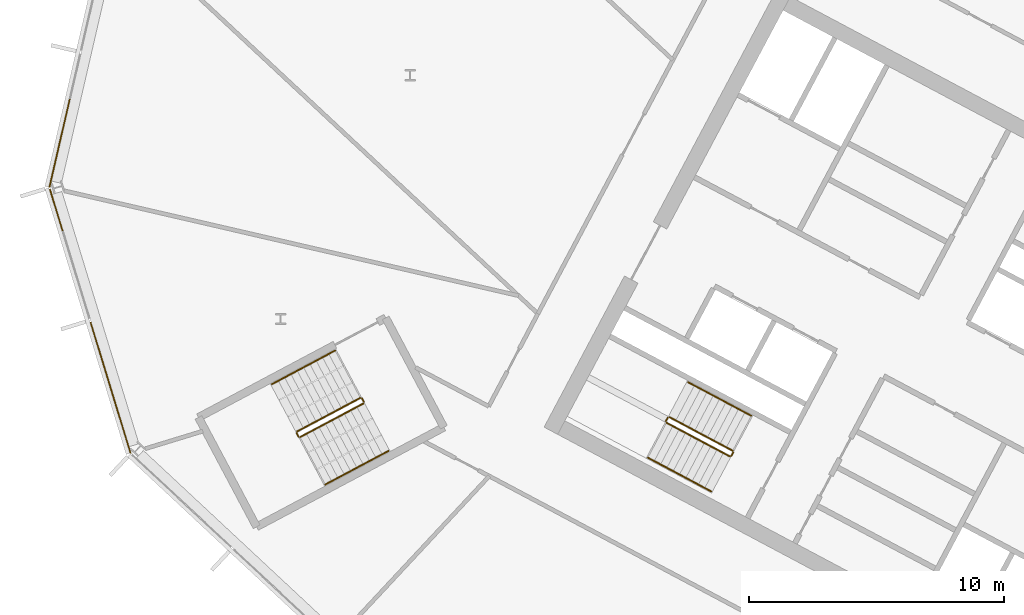
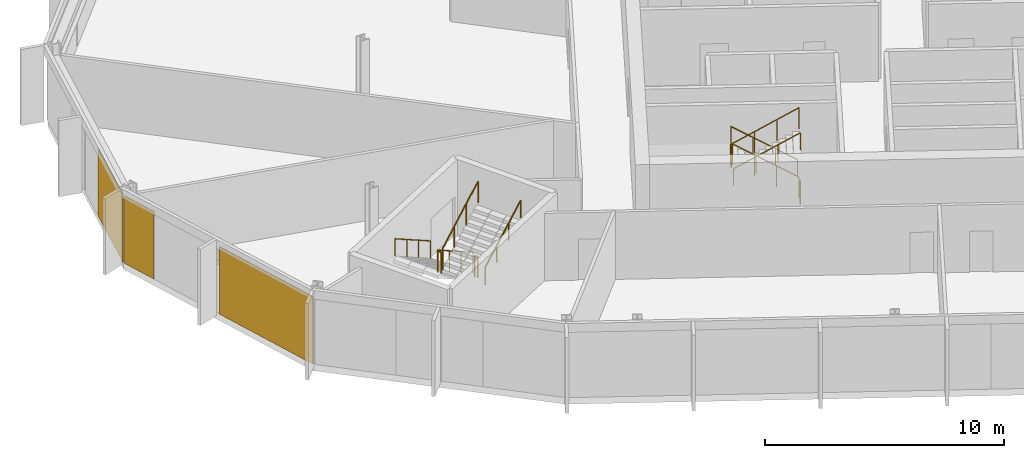
# One storey, part 20 of 26: 12 railings, 3 coverings, 2 elements without a shape of their own.
"""IFC4 building model written with IfcOpenShell, lengths in metres."""

from ifc_helpers import new_model, si_unit, direction, frame, origin, origin_2d, place, context, subcontext, project, spatial, polyline, rectangle, outline, extrude, material, layer, layer_set, type_object, element, aggregate, save


model = new_model("IFC4")

# Units and contexts
model_context = context("Model", 3, precision=1e-05, world=origin(), true_north=direction((0.0, 1.0)))
body_context = subcontext(model_context, "Body", "Model", "MODEL_VIEW")
ifc_project = project(units=[si_unit("LENGTHUNIT", "METRE"), si_unit("AREAUNIT", "SQUARE_METRE"), si_unit("VOLUMEUNIT", "CUBIC_METRE"), si_unit("PLANEANGLEUNIT", "RADIAN"), si_unit("MASSUNIT", "GRAM", prefix="KILO")], contexts=[model_context])

# Site, building, storey
site_placement = place(None, origin())
site = spatial("IfcSite", under=ifc_project, at=site_placement, CompositionType="ELEMENT")
building_placement = place(site_placement, origin())
building = spatial("IfcBuilding", under=site, at=building_placement, Name="Cormorant Relay Tower", CompositionType="ELEMENT")
storey_placement = place(building_placement, frame((0.0, 0.0, 248.10009765625)))
storey = spatial("IfcBuildingStorey", under=building, at=storey_placement, Name="L55", CompositionType="ELEMENT", Elevation=248.10009765625)

# Curtain wall, covering
ifc_material_1 = material(Name="Aluminium 6063-T6 anodised bronze", Category="aluminium")
ifc_layer_1 = layer(ifc_material_1, 0.199951171875)
ifc_layer_set_1 = layer_set([ifc_layer_1], Name="CW1 unitised bronze curtain wall with vertical fins")
curtain_wall_type = type_object("IfcCurtainWallType", Name="CW1 unitised bronze curtain wall with vertical fins", PredefinedType="NOTDEFINED", material=ifc_layer_set_1)
curtain_wall_1_placement = place(storey_placement, origin())
curtain_wall_1 = element("IfcCurtainWall", 1, at=curtain_wall_1_placement, inside=storey, type_object=curtain_wall_type, Name="CW1 curtain wall 13", PredefinedType="NOTDEFINED")
ifc_material_2 = material(Name="Pale bronze anodised aluminium insulated panel", Category="aluminium")
ifc_layer_2 = layer(ifc_material_2, 0.0400390625)
ifc_layer_set_2 = layer_set([ifc_layer_2], Name="CW1 pale bronze insulated panel 40")
covering_type = type_object("IfcCoveringType", Name="CW1 pale bronze insulated panel 40", PredefinedType="CLADDING", material=ifc_layer_set_2)
covering_1_placement = place(storey_placement, frame((-60.3388671875, 22.13232421875, 0.0), z_axis=(0.0, 0.0, 1.0), x_axis=(-0.224951054344, -0.974370064785, 0.0)))
covering_1 = element("IfcCovering", 2, at=covering_1_placement, type_object=covering_type, Name="CW1 panel S03", PredefinedType="CLADDING", context=body_context, shape_type="SweptSolid", body=[
    extrude(rectangle(XDim=3.560302734375, YDim=0.0400390625, at=origin_2d()), origin(), (0.0, 0.0, 1.0), 3.449951171875),
])
aggregate(curtain_wall_1, [covering_1])

# Curtain wall, coverings
curtain_wall_2_placement = place(storey_placement, origin())
curtain_wall_2 = element("IfcCurtainWall", 3, at=curtain_wall_2_placement, inside=storey, type_object=curtain_wall_type, Name="CW1 curtain wall 14", PredefinedType="NOTDEFINED")
covering_2_placement = place(storey_placement, frame((-60.470703125, 19.510009765625, 0.0), z_axis=(0.0, 0.0, 1.0), x_axis=(0.292371704723, -0.956304755963, 0.0)))
covering_2 = element("IfcCovering", 4, at=covering_2_placement, type_object=covering_type, Name="CW1 panel S00", PredefinedType="CLADDING", context=body_context, shape_type="SweptSolid", body=[
    extrude(rectangle(XDim=1.685302734375, YDim=0.0400390625, at=origin_2d()), origin(), (0.0, 0.0, 1.0), 3.449951171875),
])
covering_3_placement = place(storey_placement, frame((-58.344482421875, 12.55517578125, 0.0), z_axis=(0.0, 0.0, 1.0), x_axis=(0.292371704723, -0.956304755963, 0.0)))
covering_3 = element("IfcCovering", 5, at=covering_3_placement, type_object=covering_type, Name="CW1 panel S02", PredefinedType="CLADDING", context=body_context, shape_type="SweptSolid", body=[
    extrude(rectangle(XDim=5.360107421875, YDim=0.0400390625, at=origin_2d()), origin(), (0.0, 0.0, 1.0), 3.449951171875),
])
aggregate(curtain_wall_2, [covering_2, covering_3])

# Railings
ifc_material_3 = material(Name="Steel ASTM A572 Grade 50 (Fy 345 MPa)", Category="steel")
railing_type_1 = type_object("IfcRailingType", Name="Stair guard 1100", PredefinedType="GUARDRAIL", material=ifc_material_3)
railing_1_placement = place(storey_placement, frame((-33.9921875, 10.08935546875, 0.17724609375)))
element("IfcRailing", 6, at=railing_1_placement, inside=storey, type_object=railing_type_1, Name="L55 A2 stair guard 1", PredefinedType="GUARDRAIL", context=body_context, shape_type="SweptSolid", body=[
    extrude(outline(polyline([(0.022216796875, 0.00927734375), (0.00927734375, 0.022216796875), (-0.00927734375, 0.022216796875), (-0.022216796875, 0.00927734375), (-0.022216796875, -0.00927734375), (-0.00927734375, -0.022216796875), (0.00927734375, -0.022216796875), (0.022216796875, -0.00927734375), (0.022216796875, 0.00927734375)])), frame((0.0, 0.0, 1.076171875), z_axis=(-0.746001213114, 0.396649272309, 0.534931345884), x_axis=(-0.469465464807, -0.882950835185, 0.0)), (0.0, 0.0, 1.0), 3.31396484375),
    extrude(outline(polyline([(0.019287109375, 0.008056640625), (0.008056640625, 0.019287109375), (-0.008056640625, 0.019287109375), (-0.019287109375, 0.008056640625), (-0.019287109375, -0.008056640625), (-0.008056640625, -0.019287109375), (0.008056640625, -0.019287109375), (0.019287109375, -0.008056640625), (0.019287109375, 0.008056640625)])), origin(), (0.0, 0.0, 1.0), 1.052001953125),
    extrude(outline(polyline([(0.019287109375, 0.008056640625), (0.008056640625, 0.019287109375), (-0.008056640625, 0.019287109375), (-0.019287109375, 0.008056640625), (-0.019287109375, -0.008056640625), (-0.008056640625, -0.019287109375), (0.008056640625, -0.019287109375), (0.019287109375, -0.008056640625), (0.019287109375, 0.008056640625)])), frame((-0.823974609375, 0.438232421875, 0.5908203125)), (0.0, 0.0, 1.0), 1.052001953125),
    extrude(outline(polyline([(0.019287109375, 0.008056640625), (0.008056640625, 0.019287109375), (-0.008056640625, 0.019287109375), (-0.019287109375, 0.008056640625), (-0.019287109375, -0.008056640625), (-0.008056640625, -0.019287109375), (0.008056640625, -0.019287109375), (0.019287109375, -0.008056640625), (0.019287109375, 0.008056640625)])), frame((-1.648193359375, 0.876220703125, 1.181884765625)), (0.0, 0.0, 1.0), 1.052001953125),
    extrude(outline(polyline([(0.019287109375, 0.008056640625), (0.008056640625, 0.019287109375), (-0.008056640625, 0.019287109375), (-0.019287109375, 0.008056640625), (-0.019287109375, -0.008056640625), (-0.008056640625, -0.019287109375), (0.008056640625, -0.019287109375), (0.019287109375, -0.008056640625), (0.019287109375, 0.008056640625)])), frame((-2.47216796875, 1.314453125, 1.772705078125)), (0.0, 0.0, 1.0), 1.052001953125),
])
railing_2_placement = place(storey_placement, frame((-36.531982421875, 11.38330078125, 1.949951171875)))
element("IfcRailing", 7, at=railing_2_placement, inside=storey, type_object=railing_type_1, Name="L55 A2 stair guard 2", PredefinedType="GUARDRAIL", context=body_context, shape_type="SweptSolid", body=[
    extrude(outline(polyline([(0.022216796875, 0.00927734375), (0.00927734375, 0.022216796875), (-0.00927734375, 0.022216796875), (-0.022216796875, 0.00927734375), (-0.022216796875, -0.00927734375), (-0.00927734375, -0.022216796875), (0.00927734375, -0.022216796875), (0.022216796875, -0.00927734375), (0.022216796875, 0.00927734375)])), frame((0.0, 0.0, 1.076171875), z_axis=(-0.469828648786, -0.882757634224, 0.0), x_axis=(0.882757634224, -0.469828648786, 0.0)), (0.0, 0.0, 1.0), 0.150146484375),
    extrude(outline(polyline([(0.019287109375, 0.008056640625), (0.008056640625, 0.019287109375), (-0.008056640625, 0.019287109375), (-0.019287109375, 0.008056640625), (-0.019287109375, -0.008056640625), (-0.008056640625, -0.019287109375), (0.008056640625, -0.019287109375), (0.019287109375, -0.008056640625), (0.019287109375, 0.008056640625)])), origin(), (0.0, 0.0, 1.0), 1.052001953125),
    extrude(outline(polyline([(0.019287109375, 0.008056640625), (0.008056640625, 0.019287109375), (-0.008056640625, 0.019287109375), (-0.019287109375, 0.008056640625), (-0.019287109375, -0.008056640625), (-0.008056640625, -0.019287109375), (0.008056640625, -0.019287109375), (0.019287109375, -0.008056640625), (0.019287109375, 0.008056640625)])), frame((-0.070556640625, -0.132568359375, 0.0)), (0.0, 0.0, 1.0), 1.052001953125),
])
railing_3_placement = place(storey_placement, frame((-36.581787109375, 11.18310546875, 2.127197265625)))
element("IfcRailing", 8, at=railing_3_placement, inside=storey, type_object=railing_type_1, Name="L55 A2 stair guard 3", PredefinedType="GUARDRAIL", context=body_context, shape_type="SweptSolid", body=[
    extrude(outline(polyline([(0.022216796875, 0.00927734375), (0.00927734375, 0.022216796875), (-0.00927734375, 0.022216796875), (-0.022216796875, 0.00927734375), (-0.022216796875, -0.00927734375), (-0.00927734375, -0.022216796875), (0.00927734375, -0.022216796875), (0.022216796875, -0.00927734375), (0.022216796875, 0.00927734375)])), frame((0.0, 0.0, 1.076171875), z_axis=(0.746001213114, -0.396649272309, 0.534931345884), x_axis=(0.469465464807, 0.882950835185, 0.0)), (0.0, 0.0, 1.0), 3.31396484375),
    extrude(outline(polyline([(0.019287109375, 0.008056640625), (0.008056640625, 0.019287109375), (-0.008056640625, 0.019287109375), (-0.019287109375, 0.008056640625), (-0.019287109375, -0.008056640625), (-0.008056640625, -0.019287109375), (0.008056640625, -0.019287109375), (0.019287109375, -0.008056640625), (0.019287109375, 0.008056640625)])), origin(), (0.0, 0.0, 1.0), 1.052001953125),
    extrude(outline(polyline([(0.019287109375, 0.008056640625), (0.008056640625, 0.019287109375), (-0.008056640625, 0.019287109375), (-0.019287109375, 0.008056640625), (-0.019287109375, -0.008056640625), (-0.008056640625, -0.019287109375), (0.008056640625, -0.019287109375), (0.019287109375, -0.008056640625), (0.019287109375, 0.008056640625)])), frame((0.823974609375, -0.438232421875, 0.5908203125)), (0.0, 0.0, 1.0), 1.052001953125),
    extrude(outline(polyline([(0.019287109375, 0.008056640625), (0.008056640625, 0.019287109375), (-0.008056640625, 0.019287109375), (-0.019287109375, 0.008056640625), (-0.019287109375, -0.008056640625), (-0.008056640625, -0.019287109375), (0.008056640625, -0.019287109375), (0.019287109375, -0.008056640625), (0.019287109375, 0.008056640625)])), frame((1.648193359375, -0.876220703125, 1.181884765625)), (0.0, 0.0, 1.0), 1.052001953125),
    extrude(outline(polyline([(0.019287109375, 0.008056640625), (0.008056640625, 0.019287109375), (-0.008056640625, 0.019287109375), (-0.019287109375, 0.008056640625), (-0.019287109375, -0.008056640625), (-0.008056640625, -0.019287109375), (0.008056640625, -0.019287109375), (0.019287109375, -0.008056640625), (0.019287109375, 0.008056640625)])), frame((2.47216796875, -1.314453125, 1.772705078125)), (0.0, 0.0, 1.0), 1.052001953125),
])
railing_4_placement = place(storey_placement, frame((-33.971435546875, 10.021728515625, 0.0)))
element("IfcRailing", 9, at=railing_4_placement, inside=storey, type_object=railing_type_1, Name="L55 A2 stair guard 4", PredefinedType="GUARDRAIL", context=body_context, shape_type="SweptSolid", body=[
    extrude(outline(polyline([(0.022216796875, 0.00927734375), (0.00927734375, 0.022216796875), (-0.00927734375, 0.022216796875), (-0.022216796875, 0.00927734375), (-0.022216796875, -0.00927734375), (-0.00927734375, -0.022216796875), (0.00927734375, -0.022216796875), (0.022216796875, -0.00927734375), (0.022216796875, 0.00927734375)])), frame((0.0, 0.0, 1.076171875), z_axis=(-0.470503732759, -0.882398003998, 0.0), x_axis=(0.882398003998, -0.470503732759, 0.0)), (0.0, 0.0, 1.0), 0.14990234375),
    extrude(outline(polyline([(0.019287109375, 0.008056640625), (0.008056640625, 0.019287109375), (-0.008056640625, 0.019287109375), (-0.019287109375, 0.008056640625), (-0.019287109375, -0.008056640625), (-0.008056640625, -0.019287109375), (0.008056640625, -0.019287109375), (0.019287109375, -0.008056640625), (0.019287109375, 0.008056640625)])), origin(), (0.0, 0.0, 1.0), 1.052001953125),
    extrude(outline(polyline([(0.019287109375, 0.008056640625), (0.008056640625, 0.019287109375), (-0.008056640625, 0.019287109375), (-0.019287109375, 0.008056640625), (-0.019287109375, -0.008056640625), (-0.008056640625, -0.019287109375), (0.008056640625, -0.019287109375), (0.019287109375, -0.008056640625), (0.019287109375, 0.008056640625)])), frame((-0.070556640625, -0.13232421875, 0.0)), (0.0, 0.0, 1.0), 1.052001953125),
])
railing_5_placement = place(storey_placement, frame((-48.5693359375, 12.155517578125, 0.17724609375)))
element("IfcRailing", 10, at=railing_5_placement, inside=storey, type_object=railing_type_1, Name="L55 RP1 stair guard 1", PredefinedType="GUARDRAIL", context=body_context, shape_type="SweptSolid", body=[
    extrude(outline(polyline([(0.022216796875, 0.00927734375), (0.00927734375, 0.022216796875), (-0.00927734375, 0.022216796875), (-0.022216796875, 0.00927734375), (-0.022216796875, -0.00927734375), (-0.00927734375, -0.022216796875), (0.00927734375, -0.022216796875), (0.022216796875, -0.00927734375), (0.022216796875, 0.00927734375)])), frame((0.0, 0.0, 1.076171875), z_axis=(-0.746012083385, -0.396689549623, 0.534886317514), x_axis=(0.469497295046, -0.882933910293, 0.0)), (0.0, 0.0, 1.0), 3.314208984375),
    extrude(outline(polyline([(0.019287109375, 0.008056640625), (0.008056640625, 0.019287109375), (-0.008056640625, 0.019287109375), (-0.019287109375, 0.008056640625), (-0.019287109375, -0.008056640625), (-0.008056640625, -0.019287109375), (0.008056640625, -0.019287109375), (0.019287109375, -0.008056640625), (0.019287109375, 0.008056640625)])), origin(), (0.0, 0.0, 1.0), 1.052001953125),
    extrude(outline(polyline([(0.019287109375, 0.008056640625), (0.008056640625, 0.019287109375), (-0.008056640625, 0.019287109375), (-0.019287109375, 0.008056640625), (-0.019287109375, -0.008056640625), (-0.008056640625, -0.019287109375), (0.008056640625, -0.019287109375), (0.019287109375, -0.008056640625), (0.019287109375, 0.008056640625)])), frame((-0.82421875, -0.438232421875, 0.5908203125)), (0.0, 0.0, 1.0), 1.052001953125),
    extrude(outline(polyline([(0.019287109375, 0.008056640625), (0.008056640625, 0.019287109375), (-0.008056640625, 0.019287109375), (-0.019287109375, 0.008056640625), (-0.019287109375, -0.008056640625), (-0.008056640625, -0.019287109375), (0.008056640625, -0.019287109375), (0.019287109375, -0.008056640625), (0.019287109375, 0.008056640625)])), frame((-1.648193359375, -0.87646484375, 1.181884765625)), (0.0, 0.0, 1.0), 1.052001953125),
    extrude(outline(polyline([(0.019287109375, 0.008056640625), (0.008056640625, 0.019287109375), (-0.008056640625, 0.019287109375), (-0.019287109375, 0.008056640625), (-0.019287109375, -0.008056640625), (-0.008056640625, -0.019287109375), (0.008056640625, -0.019287109375), (0.019287109375, -0.008056640625), (0.019287109375, 0.008056640625)])), frame((-2.472412109375, -1.314697265625, 1.772705078125)), (0.0, 0.0, 1.0), 1.052001953125),
])
railing_6_placement = place(storey_placement, frame((-51.062255859375, 10.773193359375, 1.949951171875)))
element("IfcRailing", 11, at=railing_6_placement, inside=storey, type_object=railing_type_1, Name="L55 RP1 stair guard 2", PredefinedType="GUARDRAIL", context=body_context, shape_type="SweptSolid", body=[
    extrude(outline(polyline([(0.022216796875, 0.00927734375), (0.00927734375, 0.022216796875), (-0.00927734375, 0.022216796875), (-0.022216796875, 0.00927734375), (-0.022216796875, -0.00927734375), (-0.00927734375, -0.022216796875), (0.00927734375, -0.022216796875), (0.022216796875, -0.00927734375), (0.022216796875, 0.00927734375)])), frame((0.0, 0.0, 1.076171875), z_axis=(0.469234640946, -0.883073525669, 0.0), x_axis=(0.883073525669, 0.469234640946, 0.0)), (0.0, 0.0, 1.0), 0.14990234375),
    extrude(outline(polyline([(0.019287109375, 0.008056640625), (0.008056640625, 0.019287109375), (-0.008056640625, 0.019287109375), (-0.019287109375, 0.008056640625), (-0.019287109375, -0.008056640625), (-0.008056640625, -0.019287109375), (0.008056640625, -0.019287109375), (0.019287109375, -0.008056640625), (0.019287109375, 0.008056640625)])), origin(), (0.0, 0.0, 1.0), 1.052001953125),
    extrude(outline(polyline([(0.019287109375, 0.008056640625), (0.008056640625, 0.019287109375), (-0.008056640625, 0.019287109375), (-0.019287109375, 0.008056640625), (-0.019287109375, -0.008056640625), (-0.008056640625, -0.019287109375), (0.008056640625, -0.019287109375), (0.019287109375, -0.008056640625), (0.019287109375, 0.008056640625)])), frame((0.0703125, -0.13232421875, 0.0)), (0.0, 0.0, 1.0), 1.052001953125),
])
railing_7_placement = place(storey_placement, frame((-50.92431640625, 10.6201171875, 2.127197265625)))
element("IfcRailing", 12, at=railing_7_placement, inside=storey, type_object=railing_type_1, Name="L55 RP1 stair guard 3", PredefinedType="GUARDRAIL", context=body_context, shape_type="SweptSolid", body=[
    extrude(outline(polyline([(0.022216796875, 0.00927734375), (0.00927734375, 0.022216796875), (-0.00927734375, 0.022216796875), (-0.022216796875, 0.00927734375), (-0.022216796875, -0.00927734375), (-0.00927734375, -0.022216796875), (0.00927734375, -0.022216796875), (0.022216796875, -0.00927734375), (0.022216796875, 0.00927734375)])), frame((0.0, 0.0, 1.076171875), z_axis=(0.746033882577, 0.396627473466, 0.534901947407), x_axis=(-0.469429322983, 0.882970050864, 0.0)), (0.0, 0.0, 1.0), 3.31396484375),
    extrude(outline(polyline([(0.019287109375, 0.008056640625), (0.008056640625, 0.019287109375), (-0.008056640625, 0.019287109375), (-0.019287109375, 0.008056640625), (-0.019287109375, -0.008056640625), (-0.008056640625, -0.019287109375), (0.008056640625, -0.019287109375), (0.019287109375, -0.008056640625), (0.019287109375, 0.008056640625)])), origin(), (0.0, 0.0, 1.0), 1.052001953125),
    extrude(outline(polyline([(0.019287109375, 0.008056640625), (0.008056640625, 0.019287109375), (-0.008056640625, 0.019287109375), (-0.019287109375, 0.008056640625), (-0.019287109375, -0.008056640625), (-0.008056640625, -0.019287109375), (0.008056640625, -0.019287109375), (0.019287109375, -0.008056640625), (0.019287109375, 0.008056640625)])), frame((0.82421875, 0.438232421875, 0.5908203125)), (0.0, 0.0, 1.0), 1.052001953125),
    extrude(outline(polyline([(0.019287109375, 0.008056640625), (0.008056640625, 0.019287109375), (-0.008056640625, 0.019287109375), (-0.019287109375, 0.008056640625), (-0.019287109375, -0.008056640625), (-0.008056640625, -0.019287109375), (0.008056640625, -0.019287109375), (0.019287109375, -0.008056640625), (0.019287109375, 0.008056640625)])), frame((1.648193359375, 0.876220703125, 1.181884765625)), (0.0, 0.0, 1.0), 1.052001953125),
    extrude(outline(polyline([(0.019287109375, 0.008056640625), (0.008056640625, 0.019287109375), (-0.008056640625, 0.019287109375), (-0.019287109375, 0.008056640625), (-0.019287109375, -0.008056640625), (-0.008056640625, -0.019287109375), (0.008056640625, -0.019287109375), (0.019287109375, -0.008056640625), (0.019287109375, 0.008056640625)])), frame((2.472412109375, 1.314453125, 1.772705078125)), (0.0, 0.0, 1.0), 1.052001953125),
])
railing_8_placement = place(storey_placement, frame((-48.501708984375, 12.134765625, 0.0)))
element("IfcRailing", 13, at=railing_8_placement, inside=storey, type_object=railing_type_1, Name="L55 RP1 stair guard 4", PredefinedType="GUARDRAIL", context=body_context, shape_type="SweptSolid", body=[
    extrude(outline(polyline([(0.022216796875, 0.00927734375), (0.00927734375, 0.022216796875), (-0.00927734375, 0.022216796875), (-0.022216796875, 0.00927734375), (-0.022216796875, -0.00927734375), (-0.00927734375, -0.022216796875), (0.00927734375, -0.022216796875), (0.022216796875, -0.00927734375), (0.022216796875, 0.00927734375)])), frame((0.0, 0.0, 1.076171875), z_axis=(0.46856034887, -0.8834314911, 0.0), x_axis=(0.8834314911, 0.46856034887, 0.0)), (0.0, 0.0, 1.0), 0.150146484375),
    extrude(outline(polyline([(0.019287109375, 0.008056640625), (0.008056640625, 0.019287109375), (-0.008056640625, 0.019287109375), (-0.019287109375, 0.008056640625), (-0.019287109375, -0.008056640625), (-0.008056640625, -0.019287109375), (0.008056640625, -0.019287109375), (0.019287109375, -0.008056640625), (0.019287109375, 0.008056640625)])), origin(), (0.0, 0.0, 1.0), 1.052001953125),
    extrude(outline(polyline([(0.019287109375, 0.008056640625), (0.008056640625, 0.019287109375), (-0.008056640625, 0.019287109375), (-0.019287109375, 0.008056640625), (-0.019287109375, -0.008056640625), (-0.008056640625, -0.019287109375), (0.008056640625, -0.019287109375), (0.019287109375, -0.008056640625), (0.019287109375, 0.008056640625)])), frame((0.0703125, -0.132568359375, 0.0)), (0.0, 0.0, 1.0), 1.052001953125),
])
ifc_material_4 = material(Name="Steel ASTM A572 Grade 50 (Fy 345 MPa)", Category="steel")
railing_type_2 = type_object("IfcRailingType", Name="Stair handrail 900", PredefinedType="HANDRAIL", material=ifc_material_4)
railing_9_placement = place(storey_placement, frame((-33.264404296875, 11.4580078125, 0.17724609375)))
element("IfcRailing", 14, at=railing_9_placement, inside=storey, type_object=railing_type_2, Name="L55 A2 stair handrail 1", PredefinedType="HANDRAIL", context=body_context, shape_type="SweptSolid", body=[
    extrude(outline(polyline([(0.022216796875, 0.00927734375), (0.00927734375, 0.022216796875), (-0.00927734375, 0.022216796875), (-0.022216796875, 0.00927734375), (-0.022216796875, -0.00927734375), (-0.00927734375, -0.022216796875), (0.00927734375, -0.022216796875), (0.022216796875, -0.00927734375), (0.022216796875, 0.00927734375)])), frame((0.0, 0.0, 0.8759765625), z_axis=(-0.746033882577, 0.396627473466, 0.534901947407), x_axis=(-0.469429322983, -0.882970050864, 0.0)), (0.0, 0.0, 1.0), 3.31396484375),
    extrude(outline(polyline([(0.019287109375, 0.008056640625), (0.008056640625, 0.019287109375), (-0.008056640625, 0.019287109375), (-0.019287109375, 0.008056640625), (-0.019287109375, -0.008056640625), (-0.008056640625, -0.019287109375), (0.008056640625, -0.019287109375), (0.019287109375, -0.008056640625), (0.019287109375, 0.008056640625)])), origin(), (0.0, 0.0, 1.0), 0.851806640625),
    extrude(outline(polyline([(0.019287109375, 0.008056640625), (0.008056640625, 0.019287109375), (-0.008056640625, 0.019287109375), (-0.019287109375, 0.008056640625), (-0.019287109375, -0.008056640625), (-0.008056640625, -0.019287109375), (0.008056640625, -0.019287109375), (0.019287109375, -0.008056640625), (0.019287109375, 0.008056640625)])), frame((-0.82421875, 0.438232421875, 0.5908203125)), (0.0, 0.0, 1.0), 0.851806640625),
    extrude(outline(polyline([(0.019287109375, 0.008056640625), (0.008056640625, 0.019287109375), (-0.008056640625, 0.019287109375), (-0.019287109375, 0.008056640625), (-0.019287109375, -0.008056640625), (-0.008056640625, -0.019287109375), (0.008056640625, -0.019287109375), (0.019287109375, -0.008056640625), (0.019287109375, 0.008056640625)])), frame((-1.648193359375, 0.876220703125, 1.181884765625)), (0.0, 0.0, 1.0), 0.851806640625),
    extrude(outline(polyline([(0.019287109375, 0.008056640625), (0.008056640625, 0.019287109375), (-0.008056640625, 0.019287109375), (-0.019287109375, 0.008056640625), (-0.019287109375, -0.008056640625), (-0.008056640625, -0.019287109375), (0.008056640625, -0.019287109375), (0.019287109375, -0.008056640625), (0.019287109375, 0.008056640625)])), frame((-2.472412109375, 1.314453125, 1.772705078125)), (0.0, 0.0, 1.0), 0.851806640625),
])
railing_10_placement = place(storey_placement, frame((-37.3095703125, 9.814453125, 2.127197265625)))
element("IfcRailing", 15, at=railing_10_placement, inside=storey, type_object=railing_type_2, Name="L55 A2 stair handrail 2", PredefinedType="HANDRAIL", context=body_context, shape_type="SweptSolid", body=[
    extrude(outline(polyline([(0.022216796875, 0.00927734375), (0.00927734375, 0.022216796875), (-0.00927734375, 0.022216796875), (-0.022216796875, 0.00927734375), (-0.022216796875, -0.00927734375), (-0.00927734375, -0.022216796875), (0.00927734375, -0.022216796875), (0.022216796875, -0.00927734375), (0.022216796875, 0.00927734375)])), frame((0.0, 0.0, 0.8759765625), z_axis=(0.746033882577, -0.396627473466, 0.534901947407), x_axis=(0.469429322983, 0.882970050864, 0.0)), (0.0, 0.0, 1.0), 3.31396484375),
    extrude(outline(polyline([(0.019287109375, 0.008056640625), (0.008056640625, 0.019287109375), (-0.008056640625, 0.019287109375), (-0.019287109375, 0.008056640625), (-0.019287109375, -0.008056640625), (-0.008056640625, -0.019287109375), (0.008056640625, -0.019287109375), (0.019287109375, -0.008056640625), (0.019287109375, 0.008056640625)])), origin(), (0.0, 0.0, 1.0), 0.851806640625),
    extrude(outline(polyline([(0.019287109375, 0.008056640625), (0.008056640625, 0.019287109375), (-0.008056640625, 0.019287109375), (-0.019287109375, 0.008056640625), (-0.019287109375, -0.008056640625), (-0.008056640625, -0.019287109375), (0.008056640625, -0.019287109375), (0.019287109375, -0.008056640625), (0.019287109375, 0.008056640625)])), frame((0.82421875, -0.438232421875, 0.5908203125)), (0.0, 0.0, 1.0), 0.851806640625),
    extrude(outline(polyline([(0.019287109375, 0.008056640625), (0.008056640625, 0.019287109375), (-0.008056640625, 0.019287109375), (-0.019287109375, 0.008056640625), (-0.019287109375, -0.008056640625), (-0.008056640625, -0.019287109375), (0.008056640625, -0.019287109375), (0.019287109375, -0.008056640625), (0.019287109375, 0.008056640625)])), frame((1.648193359375, -0.876220703125, 1.181884765625)), (0.0, 0.0, 1.0), 0.851806640625),
    extrude(outline(polyline([(0.019287109375, 0.008056640625), (0.008056640625, 0.019287109375), (-0.008056640625, 0.019287109375), (-0.019287109375, 0.008056640625), (-0.019287109375, -0.008056640625), (-0.008056640625, -0.019287109375), (0.008056640625, -0.019287109375), (0.019287109375, -0.008056640625), (0.019287109375, 0.008056640625)])), frame((2.472412109375, -1.314453125, 1.772705078125)), (0.0, 0.0, 1.0), 0.851806640625),
])
railing_11_placement = place(storey_placement, frame((-49.55517578125, 14.009521484375, 0.17724609375)))
element("IfcRailing", 16, at=railing_11_placement, inside=storey, type_object=railing_type_2, Name="L55 RP1 stair handrail 1", PredefinedType="HANDRAIL", context=body_context, shape_type="SweptSolid", body=[
    extrude(outline(polyline([(0.022216796875, 0.00927734375), (0.00927734375, 0.022216796875), (-0.00927734375, 0.022216796875), (-0.022216796875, 0.00927734375), (-0.022216796875, -0.00927734375), (-0.00927734375, -0.022216796875), (0.00927734375, -0.022216796875), (0.022216796875, -0.00927734375), (0.022216796875, 0.00927734375)])), frame((0.0, 0.0, 0.8759765625), z_axis=(-0.746033882577, -0.396627473466, 0.534901947407), x_axis=(0.469429322983, -0.882970050864, 0.0)), (0.0, 0.0, 1.0), 3.31396484375),
    extrude(outline(polyline([(0.019287109375, 0.008056640625), (0.008056640625, 0.019287109375), (-0.008056640625, 0.019287109375), (-0.019287109375, 0.008056640625), (-0.019287109375, -0.008056640625), (-0.008056640625, -0.019287109375), (0.008056640625, -0.019287109375), (0.019287109375, -0.008056640625), (0.019287109375, 0.008056640625)])), origin(), (0.0, 0.0, 1.0), 0.851806640625),
    extrude(outline(polyline([(0.019287109375, 0.008056640625), (0.008056640625, 0.019287109375), (-0.008056640625, 0.019287109375), (-0.019287109375, 0.008056640625), (-0.019287109375, -0.008056640625), (-0.008056640625, -0.019287109375), (0.008056640625, -0.019287109375), (0.019287109375, -0.008056640625), (0.019287109375, 0.008056640625)])), frame((-0.82421875, -0.438232421875, 0.5908203125)), (0.0, 0.0, 1.0), 0.851806640625),
    extrude(outline(polyline([(0.019287109375, 0.008056640625), (0.008056640625, 0.019287109375), (-0.008056640625, 0.019287109375), (-0.019287109375, 0.008056640625), (-0.019287109375, -0.008056640625), (-0.008056640625, -0.019287109375), (0.008056640625, -0.019287109375), (0.019287109375, -0.008056640625), (0.019287109375, 0.008056640625)])), frame((-1.648193359375, -0.876220703125, 1.181884765625)), (0.0, 0.0, 1.0), 0.851806640625),
    extrude(outline(polyline([(0.019287109375, 0.008056640625), (0.008056640625, 0.019287109375), (-0.008056640625, 0.019287109375), (-0.019287109375, 0.008056640625), (-0.019287109375, -0.008056640625), (-0.008056640625, -0.019287109375), (0.008056640625, -0.019287109375), (0.019287109375, -0.008056640625), (0.019287109375, 0.008056640625)])), frame((-2.472412109375, -1.314453125, 1.772705078125)), (0.0, 0.0, 1.0), 0.851806640625),
])
railing_12_placement = place(storey_placement, frame((-49.9384765625, 8.765869140625, 2.127197265625)))
element("IfcRailing", 17, at=railing_12_placement, inside=storey, type_object=railing_type_2, Name="L55 RP1 stair handrail 2", PredefinedType="HANDRAIL", context=body_context, shape_type="SweptSolid", body=[
    extrude(outline(polyline([(0.022216796875, 0.00927734375), (0.00927734375, 0.022216796875), (-0.00927734375, 0.022216796875), (-0.022216796875, 0.00927734375), (-0.022216796875, -0.00927734375), (-0.00927734375, -0.022216796875), (0.00927734375, -0.022216796875), (0.022216796875, -0.00927734375), (0.022216796875, 0.00927734375)])), frame((0.0, 0.0, 0.8759765625), z_axis=(0.746012083385, 0.396689549623, 0.534886317514), x_axis=(-0.469497295046, 0.882933910293, 0.0)), (0.0, 0.0, 1.0), 3.314208984375),
    extrude(outline(polyline([(0.019287109375, 0.008056640625), (0.008056640625, 0.019287109375), (-0.008056640625, 0.019287109375), (-0.019287109375, 0.008056640625), (-0.019287109375, -0.008056640625), (-0.008056640625, -0.019287109375), (0.008056640625, -0.019287109375), (0.019287109375, -0.008056640625), (0.019287109375, 0.008056640625)])), origin(), (0.0, 0.0, 1.0), 0.851806640625),
    extrude(outline(polyline([(0.019287109375, 0.008056640625), (0.008056640625, 0.019287109375), (-0.008056640625, 0.019287109375), (-0.019287109375, 0.008056640625), (-0.019287109375, -0.008056640625), (-0.008056640625, -0.019287109375), (0.008056640625, -0.019287109375), (0.019287109375, -0.008056640625), (0.019287109375, 0.008056640625)])), frame((0.82421875, 0.438232421875, 0.5908203125)), (0.0, 0.0, 1.0), 0.851806640625),
    extrude(outline(polyline([(0.019287109375, 0.008056640625), (0.008056640625, 0.019287109375), (-0.008056640625, 0.019287109375), (-0.019287109375, 0.008056640625), (-0.019287109375, -0.008056640625), (-0.008056640625, -0.019287109375), (0.008056640625, -0.019287109375), (0.019287109375, -0.008056640625), (0.019287109375, 0.008056640625)])), frame((1.648193359375, 0.87646484375, 1.181884765625)), (0.0, 0.0, 1.0), 0.851806640625),
    extrude(outline(polyline([(0.019287109375, 0.008056640625), (0.008056640625, 0.019287109375), (-0.008056640625, 0.019287109375), (-0.019287109375, 0.008056640625), (-0.019287109375, -0.008056640625), (-0.008056640625, -0.019287109375), (0.008056640625, -0.019287109375), (0.019287109375, -0.008056640625), (0.019287109375, 0.008056640625)])), frame((2.472412109375, 1.314697265625, 1.772705078125)), (0.0, 0.0, 1.0), 0.851806640625),
])

save(model, "model.ifc")
